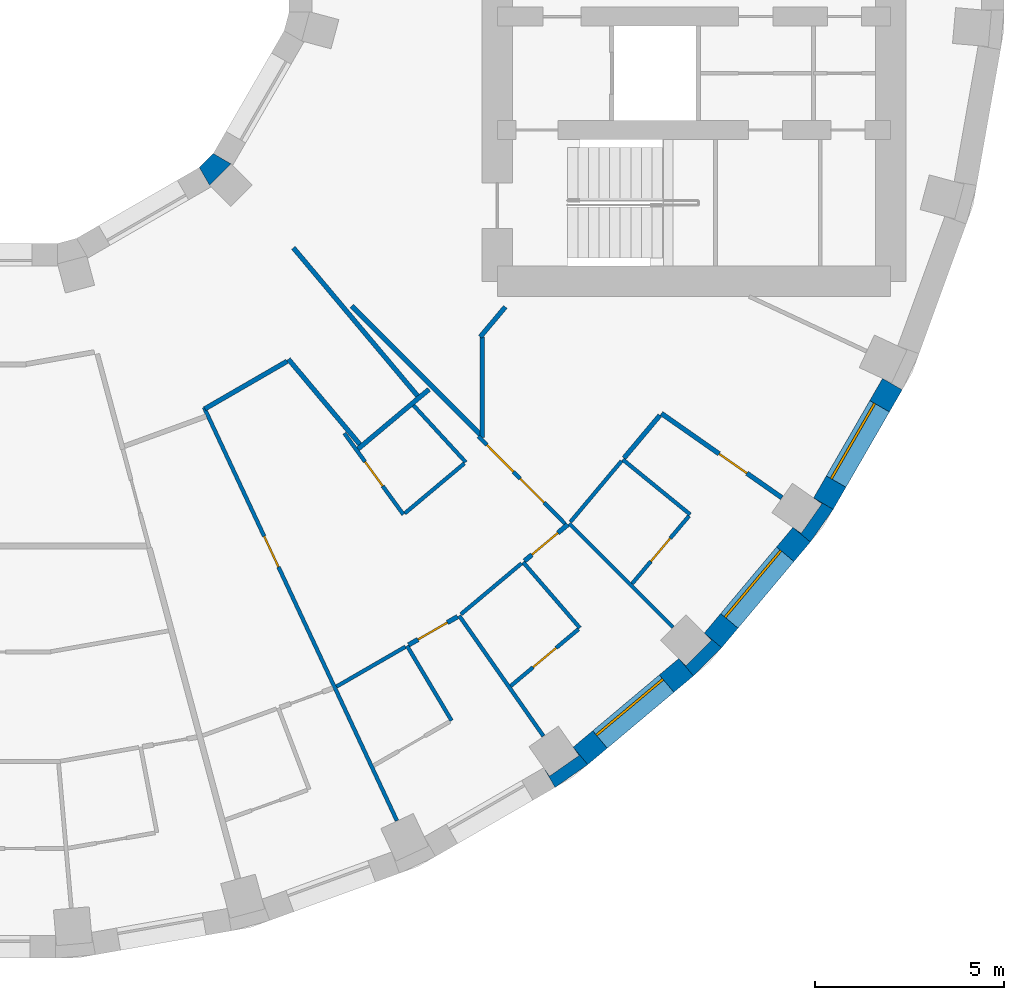
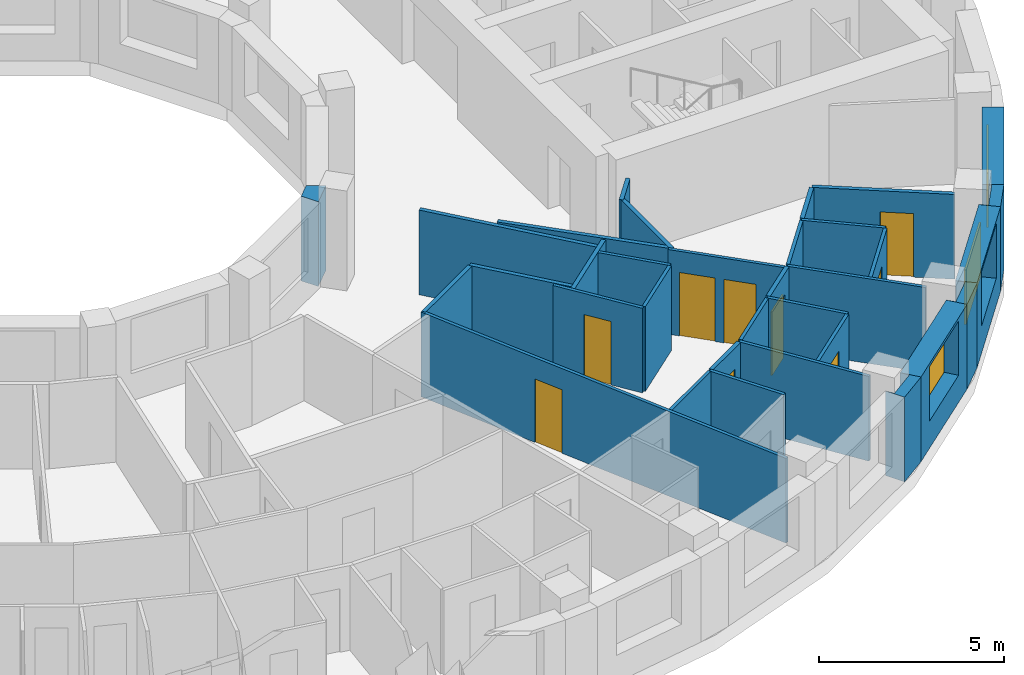
# One storey, part 8 of 16: 33 walls, 9 doors, 3 windows, 12 openings.
"""IFC4 building model written with IfcOpenShell, lengths in metres."""

from ifc_helpers import new_model, si_unit, direction, frame, frame_2d, origin, place, context, subcontext, project, spatial, polyline, rectangle, outline, extrude, material, layer, layer_set, type_object, element, fill, save


model = new_model("IFC4")

# Units and contexts
model_context = context("Model", 3, precision=1e-05, world=origin(), true_north=direction((0.0, 1.0)))
body_context = subcontext(model_context, "Body", "Model", "MODEL_VIEW")
ifc_project = project(units=[si_unit("LENGTHUNIT", "METRE"), si_unit("AREAUNIT", "SQUARE_METRE"), si_unit("VOLUMEUNIT", "CUBIC_METRE"), si_unit("PLANEANGLEUNIT", "RADIAN"), si_unit("MASSUNIT", "GRAM", prefix="KILO")], contexts=[model_context])

# Site, building, storey
site_placement = place(None, origin())
site = spatial("IfcSite", under=ifc_project, at=site_placement, CompositionType="ELEMENT")
building_placement = place(site_placement, origin())
building = spatial("IfcBuilding", under=site, at=building_placement, Name="Saqina Gate Tower", CompositionType="ELEMENT")
storey_placement = place(building_placement, frame((0.0, 0.0, 128.199951171875)))
storey = spatial("IfcBuildingStorey", under=building, at=storey_placement, Name="L36", CompositionType="ELEMENT", Elevation=128.199951171875)

# Walls
ifc_material_1 = material(Name="Brick masonry (buff)", Category="masonry")
wall_type_1 = type_object("IfcWallType", Name="BRICK PIER COPING BUFF", PredefinedType="SOLIDWALL", material=ifc_material_1)
wall_1_placement = place(storey_placement, origin())
element("IfcWall", 1, at=wall_1_placement, inside=storey, type_object=wall_type_1, Name="Pier cap L36 column 31", PredefinedType="SOLIDWALL", context=body_context, shape_type="SweptSolid", body=[
    extrude(outline(polyline([(15.89208984375, -21.77685546875), (15.50634765625, -21.317138671875), (15.66064453125, -21.53759765625), (14.88232421875, -22.08251953125), (14.728271484375, -21.862060546875), (15.0283203125, -22.3818359375), (15.89208984375, -21.77685546875)])), origin(), (0.0, 0.0, 1.0), 2.800048828125),
])
wall_2_placement = place(storey_placement, origin())
element("IfcWall", 2, at=wall_2_placement, inside=storey, type_object=wall_type_1, Name="Pier cap L36 column 32", PredefinedType="SOLIDWALL", context=body_context, shape_type="SweptSolid", body=[
    extrude(outline(polyline([(18.686279296875, -19.43212890625), (19.43212890625, -18.686279296875), (18.972412109375, -18.30078125), (19.16259765625, -18.49072265625), (18.49072265625, -19.16259765625), (18.30078125, -18.972412109375), (18.686279296875, -19.43212890625)])), origin(), (0.0, 0.0, 1.0), 2.800048828125),
])
wall_3_placement = place(storey_placement, origin())
element("IfcWall", 3, at=wall_3_placement, inside=storey, type_object=wall_type_1, Name="Pier cap L36 column 33", PredefinedType="SOLIDWALL", context=body_context, shape_type="SweptSolid", body=[
    extrude(outline(polyline([(22.3818359375, -15.0283203125), (21.862060546875, -14.728271484375), (22.08251953125, -14.88232421875), (21.53759765625, -15.66064453125), (21.317138671875, -15.50634765625), (21.77685546875, -15.89208984375), (22.3818359375, -15.0283203125)])), origin(), (0.0, 0.0, 1.0), 2.800048828125),
])

# Wall, opening, window
ifc_material_2 = material(Name="Brick masonry (buff)", Category="masonry")
ifc_layer_1 = layer(ifc_material_2, 0.60009765625)
ifc_layer_set_1 = layer_set([ifc_layer_1], Name="FW-BRICK-BUFF")
wall_type_2 = type_object("IfcWallType", Name="FW-BRICK-BUFF", PredefinedType="SOLIDWALL", material=ifc_layer_set_1)
wall_4_placement = place(storey_placement, frame((15.69921875, -21.547119140625, 0.0), z_axis=(0.0, 0.0, 1.0), x_axis=(0.766055462616, 0.642774476932, 0.0)))
wall_4 = element("IfcWall", 4, at=wall_4_placement, inside=storey, type_object=wall_type_2, Name="Facade wall L36 facet 31", PredefinedType="SOLIDWALL", context=body_context, shape_type="SweptSolid", body=[
    extrude(rectangle(XDim=3.647705078125, YDim=0.60009765625, at=frame_2d((1.82373046875, 0.0))), origin(), (0.0, 0.0, 1.0), 2.800048828125),
])
opening_1_placement = place(wall_4_placement, frame((0.673828125, 0.0, 0.89990234375)))
opening_1 = element("IfcOpeningElement", 5, at=opening_1_placement, cuts=wall_4, Name="Opening G10-W20", PredefinedType="OPENING", context=body_context, shape_type="SweptSolid", body=[
    extrude(rectangle(XDim=2.300048828125, YDim=1.800048828125, at=frame_2d((1.14990234375, 0.89990234375))), frame((0.0, 0.31201171875, 0.0), z_axis=(0.0, -1.0, 0.0), x_axis=(1.0, 0.0, 0.0)), (0.0, 0.0, 1.0), 0.6240234375),
])
ifc_material_3 = material(Name="Aluminium glazing", Category="aluminium")
window_type = type_object("IfcWindowType", Name="WN-B", PartitioningType="SINGLE_PANEL", PredefinedType="WINDOW", material=ifc_material_3)
window_1_placement = place(opening_1_placement, origin())
window_1 = element("IfcWindow", 6, at=window_1_placement, inside=storey, type_object=window_type, Name="Window L36 facet 31", OverallHeight=1.800048828125, OverallWidth=2.300048828125, PartitioningType="SINGLE_PANEL", PredefinedType="WINDOW", context=body_context, shape_type="SweptSolid", body=[
    extrude(rectangle(XDim=2.300048828125, YDim=1.800048828125, at=frame_2d((1.14990234375, 0.89990234375))), frame((0.0, 0.179931640625, 0.0), z_axis=(0.0, -1.0, 0.0), x_axis=(1.0, 0.0, 0.0)), (0.0, 0.0, 1.0), 0.06005859375),
])
fill(opening_1, window_1)

wall_5_placement = place(storey_placement, frame((19.202392578125, -18.49365234375, 0.0), z_axis=(0.0, 0.0, 1.0), x_axis=(0.642774476932, 0.766055462616, 0.0)))
wall_5 = element("IfcWall", 7, at=wall_5_placement, inside=storey, type_object=wall_type_2, Name="Facade wall L36 facet 32", PredefinedType="SOLIDWALL", context=body_context, shape_type="SweptSolid", body=[
    extrude(rectangle(XDim=3.647705078125, YDim=0.60009765625, at=frame_2d((1.82373046875, 0.0))), origin(), (0.0, 0.0, 1.0), 2.800048828125),
])
opening_2_placement = place(wall_5_placement, frame((0.673828125, 0.0, 0.89990234375)))
opening_2 = element("IfcOpeningElement", 8, at=opening_2_placement, cuts=wall_5, Name="Opening G10-W21", PredefinedType="OPENING", context=body_context, shape_type="SweptSolid", body=[
    extrude(rectangle(XDim=2.300048828125, YDim=1.800048828125, at=frame_2d((1.14990234375, 0.89990234375))), frame((0.0, 0.31201171875, 0.0), z_axis=(0.0, -1.0, 0.0), x_axis=(1.0, 0.0, 0.0)), (0.0, 0.0, 1.0), 0.6240234375),
])
window_2_placement = place(opening_2_placement, origin())
window_2 = element("IfcWindow", 9, at=window_2_placement, inside=storey, type_object=window_type, Name="Window L36 facet 32", OverallHeight=1.800048828125, OverallWidth=2.300048828125, PartitioningType="SINGLE_PANEL", PredefinedType="WINDOW", context=body_context, shape_type="SweptSolid", body=[
    extrude(rectangle(XDim=2.300048828125, YDim=1.800048828125, at=frame_2d((1.14990234375, 0.89990234375))), frame((0.0, 0.179931640625, 0.0), z_axis=(0.0, -1.0, 0.0), x_axis=(1.0, 0.0, 0.0)), (0.0, 0.0, 1.0), 0.06005859375),
])
fill(opening_2, window_2)

wall_6_placement = place(storey_placement, frame((22.1220703125, -14.878173828125, 0.0), z_axis=(0.0, 0.0, 1.0), x_axis=(0.499954196102, 0.866051847062, 0.0)))
wall_6 = element("IfcWall", 10, at=wall_6_placement, inside=storey, type_object=wall_type_2, Name="Facade wall L36 facet 33", PredefinedType="SOLIDWALL", context=body_context, shape_type="SweptSolid", body=[
    extrude(rectangle(XDim=3.647705078125, YDim=0.60009765625, at=frame_2d((1.82373046875, 0.0))), origin(), (0.0, 0.0, 1.0), 2.800048828125),
])
opening_3_placement = place(wall_6_placement, frame((0.673828125, 0.0, 0.89990234375)))
opening_3 = element("IfcOpeningElement", 11, at=opening_3_placement, cuts=wall_6, Name="Opening G10-W22", PredefinedType="OPENING", context=body_context, shape_type="SweptSolid", body=[
    extrude(rectangle(XDim=2.300048828125, YDim=1.800048828125, at=frame_2d((1.14990234375, 0.89990234375))), frame((0.0, 0.31201171875, 0.0), z_axis=(0.0, -1.0, 0.0), x_axis=(1.0, 0.0, 0.0)), (0.0, 0.0, 1.0), 0.6240234375),
])
window_3_placement = place(opening_3_placement, origin())
window_3 = element("IfcWindow", 12, at=window_3_placement, inside=storey, type_object=window_type, Name="Window L36 facet 33", OverallHeight=1.800048828125, OverallWidth=2.300048828125, PartitioningType="SINGLE_PANEL", PredefinedType="WINDOW", context=body_context, shape_type="SweptSolid", body=[
    extrude(rectangle(XDim=2.300048828125, YDim=1.800048828125, at=frame_2d((1.14990234375, 0.89990234375))), frame((0.0, 0.179931640625, 0.0), z_axis=(0.0, -1.0, 0.0), x_axis=(1.0, 0.0, 0.0)), (0.0, 0.0, 1.0), 0.06005859375),
])
fill(opening_3, window_3)

# Wall, opening, door
ifc_material_4 = material(Name="Gypsum board on steel studs, 100 mm", Category="steel")
ifc_layer_2 = layer(ifc_material_4, 0.10009765625)
ifc_layer_set_2 = layer_set([ifc_layer_2], Name="PARTITION 100")
wall_type_3 = type_object("IfcWallType", Name="PARTITION 100", PredefinedType="PARTITIONING", material=ifc_layer_set_2)
wall_7_placement = place(storey_placement, frame((5.74609375, -12.331298828125, 0.0), z_axis=(0.0, 0.0, 1.0), x_axis=(0.422888789848, -0.906181588547, 0.0)))
wall_7 = element("IfcWall", 13, at=wall_7_placement, inside=storey, type_object=wall_type_3, Name="PARTITION PW3-12", PredefinedType="PARTITIONING", context=body_context, shape_type="SweptSolid", body=[
    extrude(rectangle(XDim=12.060791015625, YDim=0.10009765625, at=frame_2d((6.0302734375, 0.0))), origin(), (0.0, 0.0, 1.0), 2.800048828125),
])
opening_4_placement = place(wall_7_placement, frame((3.760986328125, 0.0, 0.0)))
opening_4 = element("IfcOpeningElement", 14, at=opening_4_placement, cuts=wall_7, Name="Opening G10-D50", PredefinedType="OPENING", context=body_context, shape_type="SweptSolid", body=[
    extrude(rectangle(XDim=0.89990234375, YDim=2.10009765625, at=frame_2d((0.449951171875, 1.050048828125))), frame((0.0, 0.06201171875, 0.0), z_axis=(0.0, -1.0, 0.0), x_axis=(1.0, 0.0, 0.0)), (0.0, 0.0, 1.0), 0.1240234375),
])
ifc_material_5 = material(Name="Timber door leaf, 900 mm", Category="wood")
door_type_1 = type_object("IfcDoorType", Name="DOOR 900 TIMBER", OperationType="SINGLE_SWING_LEFT", PredefinedType="DOOR", material=ifc_material_5)
door_1_placement = place(opening_4_placement, origin())
door_1 = element("IfcDoor", 15, at=door_1_placement, inside=storey, type_object=door_type_1, Name="DOOR G10-D50", OperationType="SINGLE_SWING_LEFT", OverallHeight=2.10009765625, OverallWidth=0.89990234375, PredefinedType="DOOR", context=body_context, shape_type="SweptSolid", body=[
    extrude(rectangle(XDim=0.89990234375, YDim=2.10009765625, at=frame_2d((0.449951171875, 1.050048828125))), frame((0.0, 0.02490234375, 0.0), z_axis=(0.0, -1.0, 0.0), x_axis=(1.0, 0.0, 0.0)), (0.0, 0.0, 1.0), 0.050048828125),
])
fill(opening_4, door_1)

# Walls
wall_8_placement = place(storey_placement, frame((11.114013671875, -18.636962890625, 0.0), z_axis=(0.0, 0.0, 1.0), x_axis=(0.512043462342, -0.858959540766, 0.0)))
element("IfcWall", 16, at=wall_8_placement, inside=storey, type_object=wall_type_3, Name="PARTITION PW3-18", PredefinedType="PARTITIONING", context=body_context, shape_type="SweptSolid", body=[
    extrude(rectangle(XDim=2.300537109375, YDim=0.10009765625, at=frame_2d((1.150390625, 0.0))), origin(), (0.0, 0.0, 1.0), 2.800048828125),
])
wall_9_placement = place(storey_placement, frame((12.492919921875, -17.841064453125, 0.0), z_axis=(0.0, 0.0, 1.0), x_axis=(0.573453908861, -0.819237825306, 0.0)))
element("IfcWall", 17, at=wall_9_placement, inside=storey, type_object=wall_type_3, Name="PARTITION PW3-19", PredefinedType="PARTITIONING", context=body_context, shape_type="SweptSolid", body=[
    extrude(rectangle(XDim=3.884765625, YDim=0.10009765625, at=frame_2d((1.9423828125, 0.0))), origin(), (0.0, 0.0, 1.0), 2.800048828125),
])

# Wall, opening, door
wall_10_placement = place(storey_placement, frame((9.45703125, -13.01806640625, 0.0), z_axis=(0.0, 0.0, 1.0), x_axis=(0.588073257703, -0.808807667851, 0.0)))
wall_10 = element("IfcWall", 18, at=wall_10_placement, inside=storey, type_object=wall_type_3, Name="PARTITION PW3-20", PredefinedType="PARTITIONING", context=body_context, shape_type="SweptSolid", body=[
    extrude(rectangle(XDim=2.654541015625, YDim=0.10009765625, at=frame_2d((1.3271484375, 0.0))), origin(), (0.0, 0.0, 1.0), 2.800048828125),
])
opening_5_placement = place(wall_10_placement, frame((0.92724609375, 0.0, 0.0)))
opening_5 = element("IfcOpeningElement", 19, at=opening_5_placement, cuts=wall_10, Name="Opening G10-D53", PredefinedType="OPENING", context=body_context, shape_type="SweptSolid", body=[
    extrude(rectangle(XDim=0.800048828125, YDim=2.10009765625, at=frame_2d((0.39990234375, 1.050048828125))), frame((0.0, 0.06201171875, 0.0), z_axis=(0.0, -1.0, 0.0), x_axis=(1.0, 0.0, 0.0)), (0.0, 0.0, 1.0), 0.1240234375),
])
ifc_material_6 = material(Name="Timber door leaf, 800 mm", Category="wood")
door_type_2 = type_object("IfcDoorType", Name="DOOR 800 TIMBER", OperationType="SINGLE_SWING_LEFT", PredefinedType="DOOR", material=ifc_material_6)
door_2_placement = place(opening_5_placement, frame((0.800048828125, 0.0, 0.0), z_axis=(0.0, 0.0, 1.0), x_axis=(-1.0, 0.0, 0.0)))
door_2 = element("IfcDoor", 20, at=door_2_placement, inside=storey, type_object=door_type_2, Name="DOOR G10-D53", OperationType="SINGLE_SWING_RIGHT", OverallHeight=2.10009765625, OverallWidth=0.800048828125, PredefinedType="DOOR", context=body_context, shape_type="SweptSolid", body=[
    extrude(rectangle(XDim=0.800048828125, YDim=2.10009765625, at=frame_2d((0.39990234375, 1.050048828125))), frame((0.0, 0.02490234375, 0.0), z_axis=(0.0, -1.0, 0.0), x_axis=(1.0, 0.0, 0.0)), (0.0, 0.0, 1.0), 0.050048828125),
])
fill(opening_5, door_2)

# Walls
wall_11_placement = place(storey_placement, frame((14.181884765625, -16.424072265625, 0.0), z_axis=(0.0, 0.0, 1.0), x_axis=(0.653523142882, -0.756906534334, 0.0)))
element("IfcWall", 21, at=wall_11_placement, inside=storey, type_object=wall_type_3, Name="PARTITION PW3-23", PredefinedType="PARTITIONING", context=body_context, shape_type="SweptSolid", body=[
    extrude(rectangle(XDim=2.300048828125, YDim=0.10009765625, at=frame_2d((1.14990234375, 0.0))), origin(), (0.0, 0.0, 1.0), 2.800048828125),
])
wall_12_placement = place(storey_placement, frame((11.286376953125, -12.281005859375, 0.0), z_axis=(0.0, 0.0, 1.0), x_axis=(0.676742772151, -0.736219546291, 0.0)))
element("IfcWall", 22, at=wall_12_placement, inside=storey, type_object=wall_type_3, Name="PARTITION PW3-24", PredefinedType="PARTITIONING", context=body_context, shape_type="SweptSolid", body=[
    extrude(rectangle(XDim=2.0400390625, YDim=0.10009765625, at=frame_2d((1.02001953125, 0.0))), origin(), (0.0, 0.0, 1.0), 2.800048828125),
])

# Wall, openings, doors
wall_13_placement = place(storey_placement, frame((13.00048828125, -13.1015625, 0.0), z_axis=(0.0, 0.0, 1.0), x_axis=(0.704550545607, -0.70965380904, 0.0)))
wall_13 = element("IfcWall", 23, at=wall_13_placement, inside=storey, type_object=wall_type_3, Name="PARTITION PW3-25", PredefinedType="PARTITIONING", context=body_context, shape_type="SweptSolid", body=[
    extrude(rectangle(XDim=3.253173828125, YDim=0.10009765625, at=frame_2d((1.62646484375, 0.0))), origin(), (0.0, 0.0, 1.0), 2.800048828125),
])
opening_6_placement = place(wall_13_placement, frame((0.3203125, 0.0, 0.0)))
opening_6 = element("IfcOpeningElement", 24, at=opening_6_placement, cuts=wall_13, Name="Opening G10-D56", PredefinedType="OPENING", context=body_context, shape_type="SweptSolid", body=[
    extrude(rectangle(XDim=1.0, YDim=2.10009765625, at=frame_2d((0.5, 1.050048828125))), frame((0.0, 0.06201171875, 0.0), z_axis=(0.0, -1.0, 0.0), x_axis=(1.0, 0.0, 0.0)), (0.0, 0.0, 1.0), 0.1240234375),
])
opening_7_placement = place(wall_13_placement, frame((1.5703125, 0.0, 0.0)))
opening_7 = element("IfcOpeningElement", 25, at=opening_7_placement, cuts=wall_13, Name="Opening G10-D57", PredefinedType="OPENING", context=body_context, shape_type="SweptSolid", body=[
    extrude(rectangle(XDim=0.89990234375, YDim=2.10009765625, at=frame_2d((0.449951171875, 1.050048828125))), frame((0.0, 0.06201171875, 0.0), z_axis=(0.0, -1.0, 0.0), x_axis=(1.0, 0.0, 0.0)), (0.0, 0.0, 1.0), 0.1240234375),
])
ifc_material_7 = material(Name="Timber door leaf, 1000 mm", Category="wood")
door_type_3 = type_object("IfcDoorType", Name="DOOR 1000 TIMBER", OperationType="SINGLE_SWING_LEFT", PredefinedType="DOOR", material=ifc_material_7)
door_3_placement = place(opening_6_placement, origin())
door_3 = element("IfcDoor", 26, at=door_3_placement, inside=storey, type_object=door_type_3, Name="DOOR G10-D56", OperationType="SINGLE_SWING_LEFT", OverallHeight=2.10009765625, OverallWidth=1.0, PredefinedType="DOOR", context=body_context, shape_type="SweptSolid", body=[
    extrude(rectangle(XDim=1.0, YDim=2.10009765625, at=frame_2d((0.5, 1.050048828125))), frame((0.0, 0.02490234375, 0.0), z_axis=(0.0, -1.0, 0.0), x_axis=(1.0, 0.0, 0.0)), (0.0, 0.0, 1.0), 0.050048828125),
])
fill(opening_6, door_3)
door_4_placement = place(opening_7_placement, origin())
door_4 = element("IfcDoor", 27, at=door_4_placement, inside=storey, type_object=door_type_1, Name="DOOR G10-D57", OperationType="SINGLE_SWING_RIGHT", OverallHeight=2.10009765625, OverallWidth=0.89990234375, PredefinedType="DOOR", context=body_context, shape_type="SweptSolid", body=[
    extrude(rectangle(XDim=0.89990234375, YDim=2.10009765625, at=frame_2d((0.449951171875, 1.050048828125))), frame((0.0, 0.02490234375, 0.0), z_axis=(0.0, -1.0, 0.0), x_axis=(1.0, 0.0, 0.0)), (0.0, 0.0, 1.0), 0.050048828125),
])
fill(opening_7, door_4)

# Walls
wall_14_placement = place(storey_placement, frame((15.40087890625, -15.40087890625, 0.0), z_axis=(0.0, 0.0, 1.0), x_axis=(0.707106781187, -0.707106781187, 0.0)))
element("IfcWall", 28, at=wall_14_placement, inside=storey, type_object=wall_type_3, Name="PARTITION PW3-27", PredefinedType="PARTITIONING", context=body_context, shape_type="SweptSolid", body=[
    extrude(rectangle(XDim=3.885009765625, YDim=0.10009765625, at=frame_2d((1.9423828125, 0.0))), origin(), (0.0, 0.0, 1.0), 2.800048828125),
])
wall_15_placement = place(storey_placement, frame((16.818115234375, -13.7119140625, 0.0), z_axis=(0.0, 0.0, 1.0), x_axis=(0.775161826575, -0.63176272652, 0.0)))
element("IfcWall", 29, at=wall_15_placement, inside=storey, type_object=wall_type_3, Name="PARTITION PW3-31", PredefinedType="PARTITIONING", context=body_context, shape_type="SweptSolid", body=[
    extrude(rectangle(XDim=2.300048828125, YDim=0.10009765625, at=frame_2d((1.14990234375, 0.0))), origin(), (0.0, 0.0, 1.0), 2.800048828125),
])
wall_16_placement = place(storey_placement, frame((9.248291015625, -19.715087890625, 0.0), z_axis=(0.0, 0.0, 1.0), x_axis=(0.865870655861, 0.50026793553, 0.0)))
element("IfcWall", 30, at=wall_16_placement, inside=storey, type_object=wall_type_3, Name="PARTITION PW3-70", PredefinedType="PARTITIONING", context=body_context, shape_type="SweptSolid", body=[
    extrude(rectangle(XDim=2.104736328125, YDim=0.10009765625, at=frame_2d((1.05224609375, 0.0))), origin(), (0.0, 0.0, 1.0), 2.800048828125),
])

# Wall, opening, door
wall_17_placement = place(storey_placement, frame((13.855224609375, -19.699951171875, 0.0), z_axis=(0.0, 0.0, 1.0), x_axis=(0.76611194323, 0.642707157608, 0.0)))
wall_17 = element("IfcWall", 31, at=wall_17_placement, inside=storey, type_object=wall_type_3, Name="PARTITION PW3-77", PredefinedType="PARTITIONING", context=body_context, shape_type="SweptSolid", body=[
    extrude(rectangle(XDim=2.33837890625, YDim=0.10009765625, at=frame_2d((1.169189453125, 0.0))), origin(), (0.0, 0.0, 1.0), 2.800048828125),
])
opening_8_placement = place(wall_17_placement, frame((0.76904296875, 0.0, 0.0)))
opening_8 = element("IfcOpeningElement", 32, at=opening_8_placement, cuts=wall_17, Name="Opening G10-D54", PredefinedType="OPENING", context=body_context, shape_type="SweptSolid", body=[
    extrude(rectangle(XDim=0.800048828125, YDim=2.10009765625, at=frame_2d((0.39990234375, 1.050048828125))), frame((0.0, 0.06201171875, 0.0), z_axis=(0.0, -1.0, 0.0), x_axis=(1.0, 0.0, 0.0)), (0.0, 0.0, 1.0), 0.1240234375),
])
door_5_placement = place(opening_8_placement, frame((0.800048828125, 0.0, 0.0), z_axis=(0.0, 0.0, 1.0), x_axis=(-1.0, 0.0, 0.0)))
door_5 = element("IfcDoor", 33, at=door_5_placement, inside=storey, type_object=door_type_2, Name="DOOR G10-D54", OperationType="SINGLE_SWING_RIGHT", OverallHeight=2.10009765625, OverallWidth=0.800048828125, PredefinedType="DOOR", context=body_context, shape_type="SweptSolid", body=[
    extrude(rectangle(XDim=0.800048828125, YDim=2.10009765625, at=frame_2d((0.39990234375, 1.050048828125))), frame((0.0, 0.02490234375, 0.0), z_axis=(0.0, -1.0, 0.0), x_axis=(1.0, 0.0, 0.0)), (0.0, 0.0, 1.0), 0.050048828125),
])
fill(opening_8, door_5)

# Walls
wall_18_placement = place(storey_placement, frame((12.540771484375, -17.80078125, 0.0), z_axis=(0.0, 0.0, 1.0), x_axis=(0.766132236748, 0.6426829668, 0.0)))
element("IfcWall", 34, at=wall_18_placement, inside=storey, type_object=wall_type_3, Name="PARTITION PW3-78", PredefinedType="PARTITIONING", context=body_context, shape_type="SweptSolid", body=[
    extrude(rectangle(XDim=2.09228515625, YDim=0.10009765625, at=frame_2d((1.046142578125, 0.0))), origin(), (0.0, 0.0, 1.0), 2.800048828125),
])
wall_19_placement = place(storey_placement, frame((11.056396484375, -15.1328125, 0.0), z_axis=(0.0, 0.0, 1.0), x_axis=(0.766442887367, 0.642312463217, 0.0)))
element("IfcWall", 35, at=wall_19_placement, inside=storey, type_object=wall_type_3, Name="PARTITION PW3-79", PredefinedType="PARTITIONING", context=body_context, shape_type="SweptSolid", body=[
    extrude(rectangle(XDim=2.05126953125, YDim=0.10009765625, at=frame_2d((1.025634765625, 0.0))), origin(), (0.0, 0.0, 1.0), 2.800048828125),
])

# Wall, opening, door
wall_20_placement = place(storey_placement, frame((17.065185546875, -16.99462890625, 0.0), z_axis=(0.0, 0.0, 1.0), x_axis=(0.642942337124, 0.765914584751, 0.0)))
wall_20 = element("IfcWall", 36, at=wall_20_placement, inside=storey, type_object=wall_type_3, Name="PARTITION PW3-84", PredefinedType="PARTITIONING", context=body_context, shape_type="SweptSolid", body=[
    extrude(rectangle(XDim=2.338623046875, YDim=0.10009765625, at=frame_2d((1.16943359375, 0.0))), origin(), (0.0, 0.0, 1.0), 2.800048828125),
])
opening_9_placement = place(wall_20_placement, frame((0.769287109375, 0.0, 0.0)))
opening_9 = element("IfcOpeningElement", 37, at=opening_9_placement, cuts=wall_20, Name="Opening G10-D58", PredefinedType="OPENING", context=body_context, shape_type="SweptSolid", body=[
    extrude(rectangle(XDim=0.800048828125, YDim=2.10009765625, at=frame_2d((0.39990234375, 1.050048828125))), frame((0.0, 0.06201171875, 0.0), z_axis=(0.0, -1.0, 0.0), x_axis=(1.0, 0.0, 0.0)), (0.0, 0.0, 1.0), 0.1240234375),
])
door_6_placement = place(opening_9_placement, frame((0.800048828125, 0.0, 0.0), z_axis=(0.0, 0.0, 1.0), x_axis=(-1.0, 0.0, 0.0)))
door_6 = element("IfcDoor", 38, at=door_6_placement, inside=storey, type_object=door_type_2, Name="DOOR G10-D58", OperationType="SINGLE_SWING_RIGHT", OverallHeight=2.10009765625, OverallWidth=0.800048828125, PredefinedType="DOOR", context=body_context, shape_type="SweptSolid", body=[
    extrude(rectangle(XDim=0.800048828125, YDim=2.10009765625, at=frame_2d((0.39990234375, 1.050048828125))), frame((0.0, 0.02490234375, 0.0), z_axis=(0.0, -1.0, 0.0), x_axis=(1.0, 0.0, 0.0)), (0.0, 0.0, 1.0), 0.050048828125),
])
fill(opening_9, door_6)

# Walls
wall_21_placement = place(storey_placement, frame((15.43408203125, -15.36181640625, 0.0), z_axis=(0.0, 0.0, 1.0), x_axis=(0.642658417854, 0.766152829376, 0.0)))
element("IfcWall", 39, at=wall_21_placement, inside=storey, type_object=wall_type_3, Name="PARTITION PW3-85", PredefinedType="PARTITIONING", context=body_context, shape_type="SweptSolid", body=[
    extrude(rectangle(XDim=2.103515625, YDim=0.10009765625, at=frame_2d((1.0517578125, 0.0))), origin(), (0.0, 0.0, 1.0), 2.800048828125),
])
ifc_material_8 = material(Name="Gypsum board on steel studs, 125 mm, fire rated", Category="steel")
ifc_layer_3 = layer(ifc_material_8, 0.125)
ifc_layer_set_3 = layer_set([ifc_layer_3], Name="PARTITION EI 30 125")
wall_type_4 = type_object("IfcWallType", Name="PARTITION EI 30 125", PredefinedType="PARTITIONING", material=ifc_layer_set_3)
wall_22_placement = place(storey_placement, frame((7.97705078125, -11.05908203125, 0.0), z_axis=(0.0, 0.0, 1.0), x_axis=(0.642755449711, -0.766071427393, 0.0)))
element("IfcWall", 40, at=wall_22_placement, inside=storey, type_object=wall_type_4, Name="PARTITION PW1-06", PredefinedType="PARTITIONING", context=body_context, shape_type="SweptSolid", body=[
    extrude(rectangle(XDim=2.93798828125, YDim=0.125, at=frame_2d((1.468994140625, 0.0))), origin(), (0.0, 0.0, 1.0), 2.800048828125),
])
wall_23_placement = place(storey_placement, frame((8.10888671875, -8.114990234375, 0.0), z_axis=(0.0, 0.0, 1.0), x_axis=(0.642822182591, -0.766015431678, 0.0)))
element("IfcWall", 41, at=wall_23_placement, inside=storey, type_object=wall_type_4, Name="PARTITION PW1-07", PredefinedType="PARTITIONING", context=body_context, shape_type="SweptSolid", body=[
    extrude(rectangle(XDim=5.10888671875, YDim=0.125, at=frame_2d((2.554443359375, 0.0))), origin(), (0.0, 0.0, 1.0), 2.800048828125),
])
wall_24_placement = place(storey_placement, frame((9.651123046875, -9.65283203125, 0.0), z_axis=(0.0, 0.0, 1.0), x_axis=(0.707386044222, -0.706827407816, 0.0)))
element("IfcWall", 42, at=wall_24_placement, inside=storey, type_object=wall_type_4, Name="PARTITION PW1-09", PredefinedType="PARTITIONING", context=body_context, shape_type="SweptSolid", body=[
    extrude(rectangle(XDim=4.807373046875, YDim=0.125, at=frame_2d((2.40380859375, 0.0))), origin(), (0.0, 0.0, 1.0), 2.800048828125),
])

# Wall, opening, door
wall_25_placement = place(storey_placement, frame((17.840576171875, -12.49365234375, 0.0), z_axis=(0.0, 0.0, 1.0), x_axis=(0.819367709334, -0.573268311439, 0.0)))
wall_25 = element("IfcWall", 43, at=wall_25_placement, inside=storey, type_object=wall_type_4, Name="PARTITION PW1-14", PredefinedType="PARTITIONING", context=body_context, shape_type="SweptSolid", body=[
    extrude(rectangle(XDim=3.884765625, YDim=0.125, at=frame_2d((1.9423828125, 0.0))), origin(), (0.0, 0.0, 1.0), 2.800048828125),
])
opening_10_placement = place(wall_25_placement, frame((1.859619140625, 0.0, 0.0)))
opening_10 = element("IfcOpeningElement", 44, at=opening_10_placement, cuts=wall_25, Name="Opening G10-D59", PredefinedType="OPENING", context=body_context, shape_type="SweptSolid", body=[
    extrude(rectangle(XDim=0.89990234375, YDim=2.10009765625, at=frame_2d((0.449951171875, 1.050048828125))), frame((0.0, 0.074462890625, 0.0), z_axis=(0.0, -1.0, 0.0), x_axis=(1.0, 0.0, 0.0)), (0.0, 0.0, 1.0), 0.14892578125),
])
ifc_material_9 = material(Name="Fire door leaf EI 30, 900 mm")
door_type_4 = type_object("IfcDoorType", Name="DOOR 900 EI 30", OperationType="SINGLE_SWING_LEFT", PredefinedType="DOOR", material=ifc_material_9)
door_7_placement = place(opening_10_placement, origin())
door_7 = element("IfcDoor", 45, at=door_7_placement, inside=storey, type_object=door_type_4, Name="DOOR G10-D59", OperationType="SINGLE_SWING_RIGHT", OverallHeight=2.10009765625, OverallWidth=0.89990234375, PredefinedType="DOOR", context=body_context, shape_type="SweptSolid", body=[
    extrude(rectangle(XDim=0.89990234375, YDim=2.10009765625, at=frame_2d((0.449951171875, 1.050048828125))), frame((0.0, 0.02490234375, 0.0), z_axis=(0.0, -1.0, 0.0), x_axis=(1.0, 0.0, 0.0)), (0.0, 0.0, 1.0), 0.050048828125),
])
fill(opening_10, door_7)

wall_26_placement = place(storey_placement, frame((11.1572265625, -18.612060546875, 0.0), z_axis=(0.0, 0.0, 1.0), x_axis=(0.866060276884, 0.499939593154, 0.0)))
wall_26 = element("IfcWall", 46, at=wall_26_placement, inside=storey, type_object=wall_type_4, Name="PARTITION PW1-39", PredefinedType="PARTITIONING", context=body_context, shape_type="SweptSolid", body=[
    extrude(rectangle(XDim=1.492431640625, YDim=0.125, at=frame_2d((0.74609375, 0.0))), origin(), (0.0, 0.0, 1.0), 2.800048828125),
])
opening_11_placement = place(wall_26_placement, frame((0.282958984375, 0.0, 0.0)))
opening_11 = element("IfcOpeningElement", 47, at=opening_11_placement, cuts=wall_26, Name="Opening G10-D52", PredefinedType="OPENING", context=body_context, shape_type="SweptSolid", body=[
    extrude(rectangle(XDim=0.89990234375, YDim=2.10009765625, at=frame_2d((0.449951171875, 1.050048828125))), frame((0.0, 0.074462890625, 0.0), z_axis=(0.0, -1.0, 0.0), x_axis=(1.0, 0.0, 0.0)), (0.0, 0.0, 1.0), 0.14892578125),
])
door_8_placement = place(opening_11_placement, origin())
door_8 = element("IfcDoor", 48, at=door_8_placement, inside=storey, type_object=door_type_4, Name="DOOR G10-D52", OperationType="SINGLE_SWING_RIGHT", OverallHeight=2.10009765625, OverallWidth=0.89990234375, PredefinedType="DOOR", context=body_context, shape_type="SweptSolid", body=[
    extrude(rectangle(XDim=0.89990234375, YDim=2.10009765625, at=frame_2d((0.449951171875, 1.050048828125))), frame((0.0, 0.02490234375, 0.0), z_axis=(0.0, -1.0, 0.0), x_axis=(1.0, 0.0, 0.0)), (0.0, 0.0, 1.0), 0.050048828125),
])
fill(opening_11, door_8)

# Wall
wall_27_placement = place(storey_placement, frame((5.76904296875, -12.37109375, 0.0), z_axis=(0.0, 0.0, 1.0), x_axis=(0.865838856669, 0.500322969973, 0.0)))
element("IfcWall", 49, at=wall_27_placement, inside=storey, type_object=wall_type_4, Name="PARTITION PW1-40", PredefinedType="PARTITIONING", context=body_context, shape_type="SweptSolid", body=[
    extrude(rectangle(XDim=2.510009765625, YDim=0.125, at=frame_2d((1.2548828125, 0.0))), origin(), (0.0, 0.0, 1.0), 2.800048828125),
])

# Wall, opening, door
wall_28_placement = place(storey_placement, frame((14.22021484375, -16.391845703125, 0.0), z_axis=(0.0, 0.0, 1.0), x_axis=(0.765994359698, 0.642847292062, 0.0)))
wall_28 = element("IfcWall", 50, at=wall_28_placement, inside=storey, type_object=wall_type_4, Name="PARTITION PW1-44", PredefinedType="PARTITIONING", context=body_context, shape_type="SweptSolid", body=[
    extrude(rectangle(XDim=1.494873046875, YDim=0.125, at=frame_2d((0.74755859375, 0.0))), origin(), (0.0, 0.0, 1.0), 2.800048828125),
])
opening_12_placement = place(wall_28_placement, frame((0.25341796875, 0.0, 0.0)))
opening_12 = element("IfcOpeningElement", 51, at=opening_12_placement, cuts=wall_28, Name="Opening G10-D55", PredefinedType="OPENING", context=body_context, shape_type="SweptSolid", body=[
    extrude(rectangle(XDim=0.89990234375, YDim=2.10009765625, at=frame_2d((0.449951171875, 1.050048828125))), frame((0.0, 0.074462890625, 0.0), z_axis=(0.0, -1.0, 0.0), x_axis=(1.0, 0.0, 0.0)), (0.0, 0.0, 1.0), 0.14892578125),
])
door_9_placement = place(opening_12_placement, origin())
door_9 = element("IfcDoor", 52, at=door_9_placement, inside=storey, type_object=door_type_4, Name="DOOR G10-D55", OperationType="SINGLE_SWING_RIGHT", OverallHeight=2.10009765625, OverallWidth=0.89990234375, PredefinedType="DOOR", context=body_context, shape_type="SweptSolid", body=[
    extrude(rectangle(XDim=0.89990234375, YDim=2.10009765625, at=frame_2d((0.449951171875, 1.050048828125))), frame((0.0, 0.02490234375, 0.0), z_axis=(0.0, -1.0, 0.0), x_axis=(1.0, 0.0, 0.0)), (0.0, 0.0, 1.0), 0.050048828125),
])
fill(opening_12, door_9)

# Walls
wall_29_placement = place(storey_placement, frame((9.81884765625, -13.430419921875, 0.0), z_axis=(0.0, 0.0, 1.0), x_axis=(0.76617412247, 0.642633032186, 0.0)))
element("IfcWall", 53, at=wall_29_placement, inside=storey, type_object=wall_type_4, Name="PARTITION PW1-45", PredefinedType="PARTITIONING", context=body_context, shape_type="SweptSolid", body=[
    extrude(rectangle(XDim=2.448486328125, YDim=0.125, at=frame_2d((1.22412109375, 0.0))), origin(), (0.0, 0.0, 1.0), 2.800048828125),
])
wall_30_placement = place(storey_placement, frame((16.85009765625, -13.673583984375, 0.0), z_axis=(0.0, 0.0, 1.0), x_axis=(0.642897241511, 0.765952437725, 0.0)))
element("IfcWall", 54, at=wall_30_placement, inside=storey, type_object=wall_type_4, Name="PARTITION PW1-50", PredefinedType="PARTITIONING", context=body_context, shape_type="SweptSolid", body=[
    extrude(rectangle(XDim=1.47607421875, YDim=0.125, at=frame_2d((0.738037109375, 0.0))), origin(), (0.0, 0.0, 1.0), 2.800048828125),
])
wall_31_placement = place(storey_placement, frame((13.04833984375, -10.470458984375, 0.0), z_axis=(0.0, 0.0, 1.0), x_axis=(0.642549676363, 0.766244029932, 0.0)))
element("IfcWall", 55, at=wall_31_placement, inside=storey, type_object=wall_type_4, Name="PARTITION PW1-51", PredefinedType="PARTITIONING", context=body_context, shape_type="SweptSolid", body=[
    extrude(rectangle(XDim=1.0341796875, YDim=0.125, at=frame_2d((0.51708984375, 0.0))), origin(), (0.0, 0.0, 1.0), 2.800048828125),
])
wall_32_placement = place(storey_placement, frame((13.10009765625, -13.130615234375, 0.0), z_axis=(0.0, 0.0, 1.0), x_axis=(0.0, 1.0, 0.0)))
element("IfcWall", 56, at=wall_32_placement, inside=storey, type_object=wall_type_4, Name="PARTITION PW1-58", PredefinedType="PARTITIONING", context=body_context, shape_type="SweptSolid", body=[
    extrude(rectangle(XDim=2.66015625, YDim=0.125, at=frame_2d((1.330078125, 0.0))), origin(), (0.0, 0.0, 1.0), 2.800048828125),
])
ifc_material_10 = material(Name="Glazed ceramic tile", Category="ceramic")
wall_type_5 = type_object("IfcWallType", Name="TILE PIER COPING", PredefinedType="SOLIDWALL", material=ifc_material_10)
wall_33_placement = place(storey_placement, origin())
element("IfcWall", 57, at=wall_33_placement, inside=storey, type_object=wall_type_5, Name="Well pier cap L36 column 11", PredefinedType="SOLIDWALL", context=body_context, shape_type="SweptSolid", body=[
    extrude(outline(polyline([(5.891845703125, -6.45751953125), (6.45751953125, -5.891845703125), (5.991455078125, -5.622802734375), (5.622802734375, -5.991455078125), (5.891845703125, -6.45751953125)])), origin(), (0.0, 0.0, 1.0), 2.800048828125),
])

save(model, "model.ifc")
